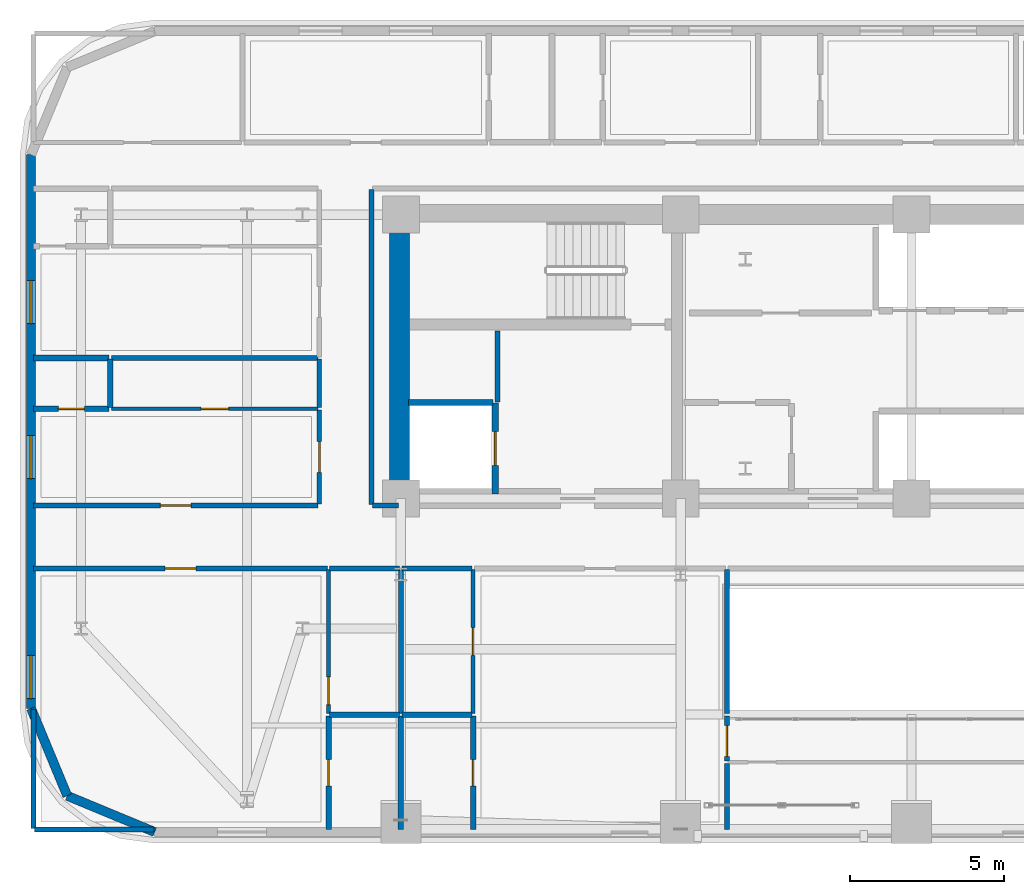
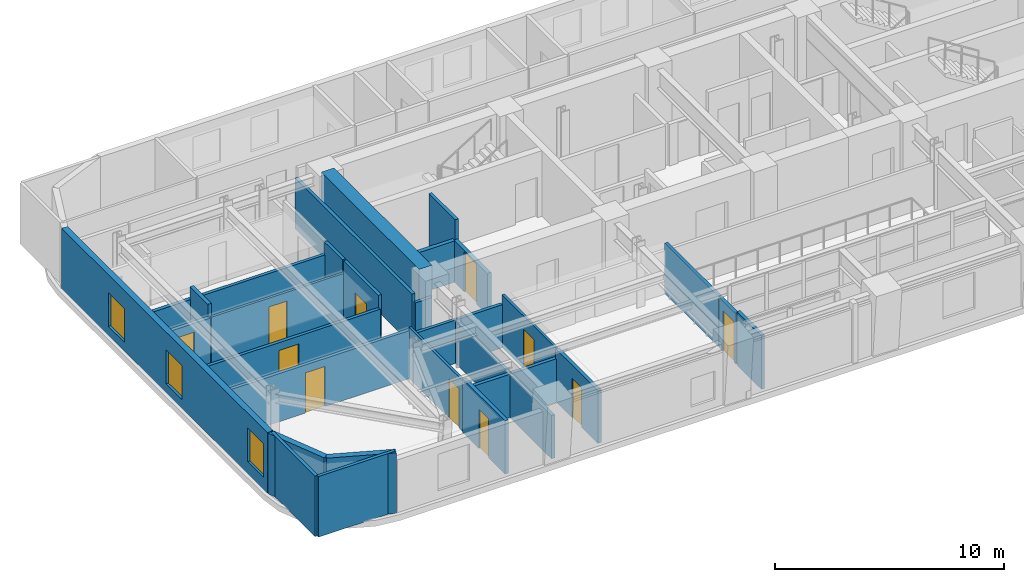
# One storey, part 8 of 16: 33 walls, 11 doors, 3 windows, 14 openings.
"""IFC4 building model written with IfcOpenShell, lengths in metres."""

from ifc_helpers import new_model, si_unit, direction, frame, frame_2d, origin, place, context, subcontext, project, spatial, rectangle, extrude, material, layer, layer_set, type_object, element, fill, save


model = new_model("IFC4")

# Units and contexts
model_context = context("Model", 3, precision=1e-05, world=origin(), true_north=direction((0.0, 1.0)))
body_context = subcontext(model_context, "Body", "Model", "MODEL_VIEW")
ifc_project = project(units=[si_unit("LENGTHUNIT", "METRE"), si_unit("AREAUNIT", "SQUARE_METRE"), si_unit("VOLUMEUNIT", "CUBIC_METRE"), si_unit("PLANEANGLEUNIT", "RADIAN"), si_unit("MASSUNIT", "GRAM", prefix="KILO")], contexts=[model_context])

# Site, building, storey
site_placement = place(None, origin())
site = spatial("IfcSite", under=ifc_project, at=site_placement, CompositionType="ELEMENT")
building_placement = place(site_placement, origin())
building = spatial("IfcBuilding", under=site, at=building_placement, Name="Zarnavel Station Tower", CompositionType="ELEMENT")
storey_placement = place(building_placement, frame((0.0, 0.0, 97.800048828125)))
storey = spatial("IfcBuildingStorey", under=building, at=storey_placement, Name="L26", CompositionType="ELEMENT", Elevation=97.800048828125)

# Wall
ifc_material_1 = material(Name="Concrete C60/75", Category="concrete")
ifc_layer_1 = layer(ifc_material_1, 0.64990234375)
ifc_layer_set_1 = layer_set([ifc_layer_1], Name="CW_650")
wall_type_1 = type_object("IfcWallType", Name="CW_650", PredefinedType="SHEAR", material=ifc_layer_set_1)
wall_1_placement = place(storey_placement, frame((12.14990234375, 28.14501953125, 0.0), z_axis=(0.0, 0.0, 1.0), x_axis=(0.0, 1.0, 0.0)))
element("IfcWall", 1, at=wall_1_placement, inside=storey, type_object=wall_type_1, Name="L26 Rear Core Shear Wall W", PredefinedType="SHEAR", context=body_context, shape_type="SweptSolid", body=[
    extrude(rectangle(XDim=8.580078125, YDim=0.64990234375, at=frame_2d((4.2900390625, 0.0))), origin(), (0.0, 0.0, 1.0), 3.5),
])

# Wall, openings, windows
ifc_material_2 = material(Name="Precast concrete C45/55 (Dark Basalt Finish)", Category="masonry")
ifc_layer_2 = layer(ifc_material_2, 0.300048828125)
ifc_layer_set_2 = layer_set([ifc_layer_2], Name="EW_BASALT_300")
wall_type_2 = type_object("IfcWallType", Name="EW_BASALT_300", PredefinedType="SOLIDWALL", material=ifc_layer_set_2)
wall_2_placement = place(storey_placement, frame((0.179931640625, 21.0, 0.0), z_axis=(0.0, 0.0, 1.0), x_axis=(0.0, 1.0, 0.0)))
wall_2 = element("IfcWall", 2, at=wall_2_placement, inside=storey, type_object=wall_type_2, Name="L26 Exterior Basalt Masonry Frame Wall 09", PredefinedType="SOLIDWALL", context=body_context, shape_type="SweptSolid", body=[
    extrude(rectangle(XDim=18.0, YDim=0.300048828125, at=frame_2d((9.0, 0.0))), origin(), (0.0, 0.0, 1.0), 3.239990234375),
])
opening_1_placement = place(wall_2_placement, frame((7.470458984375, 0.0, 0.47998046875)))
opening_1 = element("IfcOpeningElement", 3, at=opening_1_placement, cuts=wall_2, Name="Opening WN01", PredefinedType="OPENING", context=body_context, shape_type="SweptSolid", body=[
    extrude(rectangle(XDim=1.39990234375, YDim=1.800048828125, at=frame_2d((0.699951171875, 0.89990234375))), frame((0.0, 0.159912109375, 0.0), z_axis=(0.0, -1.0, 0.0), x_axis=(1.0, 0.0, 0.0)), (0.0, 0.0, 1.0), 0.320068359375),
])
opening_2_placement = place(wall_2_placement, frame((12.509033203125, 0.0, 0.47998046875)))
opening_2 = element("IfcOpeningElement", 4, at=opening_2_placement, cuts=wall_2, Name="Opening WN01", PredefinedType="OPENING", context=body_context, shape_type="SweptSolid", body=[
    extrude(rectangle(XDim=1.39990234375, YDim=1.800048828125, at=frame_2d((0.699951171875, 0.89990234375))), frame((0.0, 0.159912109375, 0.0), z_axis=(0.0, -1.0, 0.0), x_axis=(1.0, 0.0, 0.0)), (0.0, 0.0, 1.0), 0.320068359375),
])
opening_3_placement = place(wall_2_placement, frame((0.320068359375, 0.0, 0.64990234375)))
opening_3 = element("IfcOpeningElement", 5, at=opening_3_placement, cuts=wall_2, Name="Opening WN01", PredefinedType="OPENING", context=body_context, shape_type="SweptSolid", body=[
    extrude(rectangle(XDim=1.39990234375, YDim=1.800048828125, at=frame_2d((0.699951171875, 0.89990234375))), frame((0.0, 0.159912109375, 0.0), z_axis=(0.0, -1.0, 0.0), x_axis=(1.0, 0.0, 0.0)), (0.0, 0.0, 1.0), 0.320068359375),
])
ifc_material_3 = material(Name="Thermally Broken Black Aluminium and Low-E Dark Glass", Category="aluminium")
window_type = type_object("IfcWindowType", Name="WN_1400x1800", PartitioningType="DOUBLE_PANEL_VERTICAL", PredefinedType="WINDOW", material=ifc_material_3)
window_1_placement = place(opening_1_placement, origin())
window_1 = element("IfcWindow", 6, at=window_1_placement, inside=storey, type_object=window_type, Name="L26 Recessed Facade Window 01", OverallHeight=1.800048828125, OverallWidth=1.39990234375, PartitioningType="SINGLE_PANEL", PredefinedType="WINDOW", context=body_context, shape_type="SweptSolid", body=[
    extrude(rectangle(XDim=1.39990234375, YDim=1.800048828125, at=frame_2d((0.699951171875, 0.89990234375))), frame((0.0, 0.030029296875, 0.0), z_axis=(0.0, -1.0, 0.0), x_axis=(1.0, 0.0, 0.0)), (0.0, 0.0, 1.0), 0.06005859375),
])
fill(opening_1, window_1)
window_2_placement = place(opening_2_placement, origin())
window_2 = element("IfcWindow", 7, at=window_2_placement, inside=storey, type_object=window_type, Name="L26 Recessed Facade Window 02", OverallHeight=1.800048828125, OverallWidth=1.39990234375, PartitioningType="SINGLE_PANEL", PredefinedType="WINDOW", context=body_context, shape_type="SweptSolid", body=[
    extrude(rectangle(XDim=1.39990234375, YDim=1.800048828125, at=frame_2d((0.699951171875, 0.89990234375))), frame((0.0, 0.030029296875, 0.0), z_axis=(0.0, -1.0, 0.0), x_axis=(1.0, 0.0, 0.0)), (0.0, 0.0, 1.0), 0.06005859375),
])
fill(opening_2, window_2)
window_3_placement = place(opening_3_placement, origin())
window_3 = element("IfcWindow", 8, at=window_3_placement, inside=storey, type_object=window_type, Name="L26 Recessed Facade Window 03", OverallHeight=1.800048828125, OverallWidth=1.39990234375, PartitioningType="SINGLE_PANEL", PredefinedType="WINDOW", context=body_context, shape_type="SweptSolid", body=[
    extrude(rectangle(XDim=1.39990234375, YDim=1.800048828125, at=frame_2d((0.699951171875, 0.89990234375))), frame((0.0, 0.030029296875, 0.0), z_axis=(0.0, -1.0, 0.0), x_axis=(1.0, 0.0, 0.0)), (0.0, 0.0, 1.0), 0.06005859375),
])
fill(opening_3, window_3)

# Walls
for number, where, z_axis, x_axis, name in (
    (9, (1.357421875, 18.157470703125, 0.0), (0.0, 0.0, 1.0), (-0.382704529509, 0.923870793506, 0.0), "L26 Exterior Basalt Masonry Frame Wall 10"),
    (10, (4.199951171875, 16.97998046875, 0.0), (0.0, 0.0, 1.0), (-0.923870793506, 0.382704529509, 0.0), "L26 Exterior Basalt Masonry Frame Wall 11"),
):
    element("IfcWall", number, at=place(storey_placement, frame(where, z_axis=z_axis, x_axis=x_axis)), inside=storey, type_object=wall_type_2, Name=name, PredefinedType="SOLIDWALL", context=body_context, shape_type="SweptSolid", body=[
        extrude(rectangle(XDim=3.07666015625, YDim=0.300048828125, at=frame_2d((1.538330078125, 0.0))), origin(), (0.0, 0.0, 1.0), 3.239990234375),
    ])

# Wall, opening, door
ifc_material_4 = material(Name="Gypsum Twin-Stud Acoustic Fire Partition", Category="concrete")
ifc_layer_3 = layer(ifc_material_4, 0.159912109375)
ifc_layer_set_3 = layer_set([ifc_layer_3], Name="PT_DEMISE_160")
wall_type_3 = type_object("IfcWallType", Name="PT_DEMISE_160", PredefinedType="PARTITIONING", material=ifc_layer_set_3)
wall_3_placement = place(storey_placement, frame((0.260009765625, 27.60009765625, 0.0), z_axis=(0.0, 0.0, 1.0), x_axis=(1.0, 0.0, 0.0)))
wall_3 = element("IfcWall", 11, at=wall_3_placement, inside=storey, type_object=wall_type_3, Name="L26 Partition COR-S-FNW1R", PredefinedType="PARTITIONING", context=body_context, shape_type="SweptSolid", body=[
    extrude(rectangle(XDim=9.25, YDim=0.159912109375, at=frame_2d((4.625, 0.0))), origin(), (0.0, 0.0, 1.0), 2.570068359375),
])
opening_4_placement = place(wall_3_placement, frame((4.125, 0.0, 0.0)))
opening_4 = element("IfcOpeningElement", 12, at=opening_4_placement, cuts=wall_3, Name="Opening FD02", PredefinedType="OPENING", context=body_context, shape_type="SweptSolid", body=[
    extrude(rectangle(XDim=1.0, YDim=2.14990234375, at=frame_2d((0.5, 1.074951171875))), frame((0.0, 0.08984375, 0.0), z_axis=(0.0, -1.0, 0.0), x_axis=(1.0, 0.0, 0.0)), (0.0, 0.0, 1.0), 0.179931640625),
])
ifc_material_5 = material(Name="Painted Galvanised Steel and Hardwood Leaf", Category="steel")
door_type_1 = type_object("IfcDoorType", Name="ID_ENTRY_1000", OperationType="NOTDEFINED", PredefinedType="DOOR", material=ifc_material_5)
door_1_placement = place(opening_4_placement, origin())
door_1 = element("IfcDoor", 13, at=door_1_placement, inside=storey, type_object=door_type_1, Name="L26 Door COR-S-FNW1R", OperationType="SINGLE_SWING_RIGHT", OverallHeight=2.14990234375, OverallWidth=1.0, PredefinedType="DOOR", context=body_context, shape_type="SweptSolid", body=[
    extrude(rectangle(XDim=1.0, YDim=2.14990234375, at=frame_2d((0.5, 1.074951171875))), frame((0.0, 0.02490234375, 0.0), z_axis=(0.0, -1.0, 0.0), x_axis=(1.0, 0.0, 0.0)), (0.0, 0.0, 1.0), 0.050048828125),
])
fill(opening_4, door_1)

wall_4_placement = place(storey_placement, frame((0.260009765625, 25.550048828125, 0.0), z_axis=(0.0, 0.0, 1.0), x_axis=(1.0, 0.0, 0.0)))
wall_4 = element("IfcWall", 14, at=wall_4_placement, inside=storey, type_object=wall_type_3, Name="L26 Partition COR-S-HW1R", PredefinedType="PARTITIONING", context=body_context, shape_type="SweptSolid", body=[
    extrude(rectangle(XDim=9.550048828125, YDim=0.159912109375, at=frame_2d((4.77490234375, 0.0))), origin(), (0.0, 0.0, 1.0), 2.570068359375),
])
opening_5_placement = place(wall_4_placement, frame((4.27490234375, 0.0, 0.0)))
opening_5 = element("IfcOpeningElement", 15, at=opening_5_placement, cuts=wall_4, Name="Opening FD02", PredefinedType="OPENING", context=body_context, shape_type="SweptSolid", body=[
    extrude(rectangle(XDim=1.0, YDim=2.14990234375, at=frame_2d((0.5, 1.074951171875))), frame((0.0, 0.08984375, 0.0), z_axis=(0.0, -1.0, 0.0), x_axis=(1.0, 0.0, 0.0)), (0.0, 0.0, 1.0), 0.179931640625),
])
door_2_placement = place(opening_5_placement, origin())
door_2 = element("IfcDoor", 16, at=door_2_placement, inside=storey, type_object=door_type_1, Name="L26 Door COR-S-HW1R", OperationType="SINGLE_SWING_RIGHT", OverallHeight=2.14990234375, OverallWidth=1.0, PredefinedType="DOOR", context=body_context, shape_type="SweptSolid", body=[
    extrude(rectangle(XDim=1.0, YDim=2.14990234375, at=frame_2d((0.5, 1.074951171875))), frame((0.0, 0.02490234375, 0.0), z_axis=(0.0, -1.0, 0.0), x_axis=(1.0, 0.0, 0.0)), (0.0, 0.0, 1.0), 0.050048828125),
])
fill(opening_5, door_2)

# Walls
for number, where, z_axis, x_axis, name in (
    (17, (9.889892578125, 25.550048828125, 0.0), (0.0, 0.0, 1.0), (1.0, 0.0, 0.0), "L26 Partition COR-S-HW1S"),
    (18, (12.239990234375, 25.550048828125, 0.0), (0.0, 0.0, 1.0), (1.0, 0.0, 0.0), "L26 Partition COR-S-HW2S"),
):
    element("IfcWall", number, at=place(storey_placement, frame(where, z_axis=z_axis, x_axis=x_axis)), inside=storey, type_object=wall_type_3, Name=name, PredefinedType="PARTITIONING", context=body_context, shape_type="SweptSolid", body=[
        extrude(rectangle(XDim=2.27001953125, YDim=0.159912109375, at=frame_2d((1.135009765625, 0.0))), origin(), (0.0, 0.0, 1.0), 2.31005859375),
    ])

# Wall, opening, door
wall_5_placement = place(storey_placement, frame((9.550048828125, 27.639892578125, 0.0), z_axis=(0.0, 0.0, 1.0), x_axis=(0.0, 1.0, 0.0)))
wall_5 = element("IfcWall", 19, at=wall_5_placement, inside=storey, type_object=wall_type_3, Name="L26 Partition COR-W-FNW1R", PredefinedType="PARTITIONING", context=body_context, shape_type="SweptSolid", body=[
    extrude(rectangle(XDim=3.06103515625, YDim=0.159912109375, at=frame_2d((1.530517578125, 0.0))), origin(), (0.0, 0.0, 1.0), 3.239990234375),
])
opening_6_placement = place(wall_5_placement, frame((1.030517578125, 0.0, 0.0)))
opening_6 = element("IfcOpeningElement", 20, at=opening_6_placement, cuts=wall_5, Name="Opening FD02", PredefinedType="OPENING", context=body_context, shape_type="SweptSolid", body=[
    extrude(rectangle(XDim=1.0, YDim=2.14990234375, at=frame_2d((0.5, 1.074951171875))), frame((0.0, 0.08984375, 0.0), z_axis=(0.0, -1.0, 0.0), x_axis=(1.0, 0.0, 0.0)), (0.0, 0.0, 1.0), 0.179931640625),
])
door_3_placement = place(opening_6_placement, origin())
door_3 = element("IfcDoor", 21, at=door_3_placement, inside=storey, type_object=door_type_1, Name="L26 Door COR-W-FNW1R", OperationType="SINGLE_SWING_RIGHT", OverallHeight=2.14990234375, OverallWidth=1.0, PredefinedType="DOOR", context=body_context, shape_type="SweptSolid", body=[
    extrude(rectangle(XDim=1.0, YDim=2.14990234375, at=frame_2d((0.5, 1.074951171875))), frame((0.0, 0.02490234375, 0.0), z_axis=(0.0, -1.0, 0.0), x_axis=(1.0, 0.0, 0.0)), (0.0, 0.0, 1.0), 0.050048828125),
])
fill(opening_6, door_3)

# Wall
wall_6_placement = place(storey_placement, frame((9.550048828125, 30.781005859375, 0.0), z_axis=(0.0, 0.0, 1.0), x_axis=(0.0, 1.0, 0.0)))
element("IfcWall", 22, at=wall_6_placement, inside=storey, type_object=wall_type_3, Name="L26 Partition COR-W-FNW1S", PredefinedType="PARTITIONING", context=body_context, shape_type="SweptSolid", body=[
    extrude(rectangle(XDim=1.570068359375, YDim=0.159912109375, at=frame_2d((0.78515625, 0.0))), origin(), (0.0, 0.0, 1.0), 3.239990234375),
])

# Wall, opening, door
wall_7_placement = place(storey_placement, frame((22.800048828125, 19.2900390625, 0.0), z_axis=(0.0, 0.0, 1.0), x_axis=(0.0, 1.0, 0.0)))
wall_7 = element("IfcWall", 23, at=wall_7_placement, inside=storey, type_object=wall_type_3, Name="L26 Partition COR-AS-HW2R", PredefinedType="PARTITIONING", context=body_context, shape_type="SweptSolid", body=[
    extrude(rectangle(XDim=1.469970703125, YDim=0.159912109375, at=frame_2d((0.73486328125, 0.0))), origin(), (0.0, 0.0, 1.0), 2.679931640625),
])
opening_7_placement = place(wall_7_placement, frame((0.14794921875, 0.0, 0.0)))
opening_7 = element("IfcOpeningElement", 24, at=opening_7_placement, cuts=wall_7, Name="Opening FD02", PredefinedType="OPENING", context=body_context, shape_type="SweptSolid", body=[
    extrude(rectangle(XDim=1.0, YDim=2.14990234375, at=frame_2d((0.5, 1.074951171875))), frame((0.0, 0.08984375, 0.0), z_axis=(0.0, -1.0, 0.0), x_axis=(1.0, 0.0, 0.0)), (0.0, 0.0, 1.0), 0.179931640625),
])
door_4_placement = place(opening_7_placement, origin())
door_4 = element("IfcDoor", 25, at=door_4_placement, inside=storey, type_object=door_type_1, Name="L26 Door COR-AS-HW2R", OperationType="SINGLE_SWING_LEFT", OverallHeight=2.14990234375, OverallWidth=1.0, PredefinedType="DOOR", context=body_context, shape_type="SweptSolid", body=[
    extrude(rectangle(XDim=1.0, YDim=2.14990234375, at=frame_2d((0.5, 1.074951171875))), frame((0.0, 0.02490234375, 0.0), z_axis=(0.0, -1.0, 0.0), x_axis=(1.0, 0.0, 0.0)), (0.0, 0.0, 1.0), 0.050048828125),
])
fill(opening_7, door_4)

# Walls
wall_8_placement = place(storey_placement, frame((2.800048828125, 32.39111328125, 0.0), z_axis=(0.0, 0.0, 1.0), x_axis=(1.0, 0.0, 0.0)))
element("IfcWall", 26, at=wall_8_placement, inside=storey, type_object=wall_type_3, Name="L26 Partition FNW1S-FNW2R", PredefinedType="PARTITIONING", context=body_context, shape_type="SweptSolid", body=[
    extrude(rectangle(XDim=6.7099609375, YDim=0.159912109375, at=frame_2d((3.35498046875, 0.0))), origin(), (0.0, 0.0, 1.0), 2.570068359375),
])
wall_9_placement = place(storey_placement, frame((12.199951171875, 20.8359375, 0.0), z_axis=(0.0, 0.0, 1.0), x_axis=(0.0, 1.0, 0.0)))
element("IfcWall", 27, at=wall_9_placement, inside=storey, type_object=wall_type_3, Name="L26 Partition HW1S-HW2S", PredefinedType="PARTITIONING", context=body_context, shape_type="SweptSolid", body=[
    extrude(rectangle(XDim=4.674072265625, YDim=0.159912109375, at=frame_2d((2.3369140625, 0.0))), origin(), (0.0, 0.0, 1.0), 2.31005859375),
])
wall_10_placement = place(storey_placement, frame((22.800048828125, 17.06005859375, 0.0), z_axis=(0.0, 0.0, 1.0), x_axis=(0.0, 1.0, 0.0)))
element("IfcWall", 28, at=wall_10_placement, inside=storey, type_object=wall_type_3, Name="L26 Partition HW2R-L25SAL", PredefinedType="PARTITIONING", context=body_context, shape_type="SweptSolid", body=[
    extrude(rectangle(XDim=2.14990234375, YDim=0.159912109375, at=frame_2d((1.074951171875, 0.0))), origin(), (0.0, 0.0, 1.0), 2.85986328125),
])
wall_11_placement = place(storey_placement, frame((15.35009765625, 30.9599609375, 0.0), z_axis=(0.0, 0.0, 1.0), x_axis=(0.0, 1.0, 0.0)))
element("IfcWall", 29, at=wall_11_placement, inside=storey, type_object=wall_type_3, Name="L26 Enclosure Wall FFL1", PredefinedType="PARTITIONING", context=body_context, shape_type="SweptSolid", body=[
    extrude(rectangle(XDim=2.31005859375, YDim=0.159912109375, at=frame_2d((1.155029296875, 0.0))), origin(), (0.0, 0.0, 1.0), 3.239990234375),
])
wall_12_placement = place(storey_placement, frame((11.280029296875, 27.60009765625, 0.0), z_axis=(0.0, 0.0, 1.0), x_axis=(1.0, 0.0, 0.0)))
element("IfcWall", 30, at=wall_12_placement, inside=storey, type_object=wall_type_3, Name="L26 Enclosure Wall COR-S", PredefinedType="PARTITIONING", context=body_context, shape_type="SweptSolid", body=[
    extrude(rectangle(XDim=0.840087890625, YDim=0.159912109375, at=frame_2d((0.419921875, 0.0))), origin(), (0.0, 0.0, 1.0), 2.280029296875),
])
wall_13_placement = place(storey_placement, frame((11.25, 27.6298828125, 0.0), z_axis=(0.0, 0.0, 1.0), x_axis=(0.0, 1.0, 0.0)))
element("IfcWall", 31, at=wall_13_placement, inside=storey, type_object=wall_type_3, Name="L26 Enclosure Wall COR-W", PredefinedType="PARTITIONING", context=body_context, shape_type="SweptSolid", body=[
    extrude(rectangle(XDim=10.240234375, YDim=0.159912109375, at=frame_2d((5.1201171875, 0.0))), origin(), (0.0, 0.0, 1.0), 2.719970703125),
])
for number, where, z_axis, x_axis, name in (
    (32, (0.2900390625, 17.06005859375, 0.0), (0.0, 0.0, 1.0), (1.0, 0.0, 0.0), "L26 Enclosure Wall HW1R"),
    (33, (0.260009765625, 17.090087890625, 0.0), (0.0, 0.0, 1.0), (0.0, 1.0, 0.0), "L26 Enclosure Wall HW1R"),
):
    element("IfcWall", number, at=place(storey_placement, frame(where, z_axis=z_axis, x_axis=x_axis)), inside=storey, type_object=wall_type_3, Name=name, PredefinedType="PARTITIONING", context=body_context, shape_type="SweptSolid", body=[
        extrude(rectangle(XDim=3.8798828125, YDim=0.159912109375, at=frame_2d((1.93994140625, 0.0))), origin(), (0.0, 0.0, 1.0), 3.239990234375),
    ])
wall_14_placement = place(storey_placement, frame((22.800048828125, 20.830078125, 0.0), z_axis=(0.0, 0.0, 1.0), x_axis=(0.0, 1.0, 0.0)))
element("IfcWall", 34, at=wall_14_placement, inside=storey, type_object=wall_type_3, Name="L26 Enclosure Wall HW2R", PredefinedType="PARTITIONING", context=body_context, shape_type="SweptSolid", body=[
    extrude(rectangle(XDim=4.68994140625, YDim=0.159912109375, at=frame_2d((2.344970703125, 0.0))), origin(), (0.0, 0.0, 1.0), 2.679931640625),
])

# Wall, opening, door
ifc_material_6 = material(Name="Gypsum Metal-Stud Interior Partition", Category="concrete")
ifc_layer_4 = layer(ifc_material_6, 0.1201171875)
ifc_layer_set_4 = layer_set([ifc_layer_4], Name="PT_ROOM_120")
wall_type_4 = type_object("IfcWallType", Name="PT_ROOM_120", PredefinedType="PARTITIONING", material=ifc_layer_set_4)
wall_15_placement = place(storey_placement, frame((2.800048828125, 30.740966796875, 0.0), z_axis=(0.0, 0.0, 1.0), x_axis=(1.0, 0.0, 0.0)))
wall_15 = element("IfcWall", 35, at=wall_15_placement, inside=storey, type_object=wall_type_4, Name="L26 Partition FNW1R-FNW1S", PredefinedType="PARTITIONING", context=body_context, shape_type="SweptSolid", body=[
    extrude(rectangle(XDim=6.7099609375, YDim=0.1201171875, at=frame_2d((3.35498046875, 0.0))), origin(), (0.0, 0.0, 1.0), 2.570068359375),
])
opening_8_placement = place(wall_15_placement, frame((2.905029296875, 0.0, 0.0)))
opening_8 = element("IfcOpeningElement", 36, at=opening_8_placement, cuts=wall_15, Name="Opening ID01", PredefinedType="OPENING", context=body_context, shape_type="SweptSolid", body=[
    extrude(rectangle(XDim=0.89990234375, YDim=2.10009765625, at=frame_2d((0.449951171875, 1.050048828125))), frame((0.0, 0.070068359375, 0.0), z_axis=(0.0, -1.0, 0.0), x_axis=(1.0, 0.0, 0.0)), (0.0, 0.0, 1.0), 0.14013671875),
])
ifc_material_7 = material(Name="Painted Galvanised Steel and Hardwood Leaf", Category="steel")
door_type_2 = type_object("IfcDoorType", Name="ID_ROOM_900", OperationType="NOTDEFINED", PredefinedType="DOOR", material=ifc_material_7)
door_5_placement = place(opening_8_placement, origin())
door_5 = element("IfcDoor", 37, at=door_5_placement, inside=storey, type_object=door_type_2, Name="L26 Door FNW1R-FNW1S", OperationType="SINGLE_SWING_RIGHT", OverallHeight=2.10009765625, OverallWidth=0.89990234375, PredefinedType="DOOR", context=body_context, shape_type="SweptSolid", body=[
    extrude(rectangle(XDim=0.89990234375, YDim=2.10009765625, at=frame_2d((0.449951171875, 1.050048828125))), frame((0.0, 0.02490234375, 0.0), z_axis=(0.0, -1.0, 0.0), x_axis=(1.0, 0.0, 0.0)), (0.0, 0.0, 1.0), 0.050048828125),
])
fill(opening_8, door_5)

wall_16_placement = place(storey_placement, frame((9.85009765625, 20.8359375, 0.0), z_axis=(0.0, 0.0, 1.0), x_axis=(0.0, 1.0, 0.0)))
wall_16 = element("IfcWall", 38, at=wall_16_placement, inside=storey, type_object=wall_type_4, Name="L26 Partition HW1R-HW1S", PredefinedType="PARTITIONING", context=body_context, shape_type="SweptSolid", body=[
    extrude(rectangle(XDim=4.674072265625, YDim=0.1201171875, at=frame_2d((2.3369140625, 0.0))), origin(), (0.0, 0.0, 1.0), 2.719970703125),
])
opening_9_placement = place(wall_16_placement, frame((0.28564453125, 0.0, 0.0)))
opening_9 = element("IfcOpeningElement", 39, at=opening_9_placement, cuts=wall_16, Name="Opening ID01", PredefinedType="OPENING", context=body_context, shape_type="SweptSolid", body=[
    extrude(rectangle(XDim=0.89990234375, YDim=2.10009765625, at=frame_2d((0.449951171875, 1.050048828125))), frame((0.0, 0.070068359375, 0.0), z_axis=(0.0, -1.0, 0.0), x_axis=(1.0, 0.0, 0.0)), (0.0, 0.0, 1.0), 0.14013671875),
])
door_6_placement = place(opening_9_placement, origin())
door_6 = element("IfcDoor", 40, at=door_6_placement, inside=storey, type_object=door_type_2, Name="L26 Door HW1R-HW1S", OperationType="SINGLE_SWING_RIGHT", OverallHeight=2.10009765625, OverallWidth=0.89990234375, PredefinedType="DOOR", context=body_context, shape_type="SweptSolid", body=[
    extrude(rectangle(XDim=0.89990234375, YDim=2.10009765625, at=frame_2d((0.449951171875, 1.050048828125))), frame((0.0, 0.02490234375, 0.0), z_axis=(0.0, -1.0, 0.0), x_axis=(1.0, 0.0, 0.0)), (0.0, 0.0, 1.0), 0.050048828125),
])
fill(opening_9, door_6)

wall_17_placement = place(storey_placement, frame((14.550048828125, 20.8359375, 0.0), z_axis=(0.0, 0.0, 1.0), x_axis=(0.0, 1.0, 0.0)))
wall_17 = element("IfcWall", 41, at=wall_17_placement, inside=storey, type_object=wall_type_4, Name="L26 Partition HW2R-HW2S", PredefinedType="PARTITIONING", context=body_context, shape_type="SweptSolid", body=[
    extrude(rectangle(XDim=4.674072265625, YDim=0.1201171875, at=frame_2d((2.3369140625, 0.0))), origin(), (0.0, 0.0, 1.0), 2.820068359375),
])
opening_10_placement = place(wall_17_placement, frame((1.886962890625, 0.0, 0.0)))
opening_10 = element("IfcOpeningElement", 42, at=opening_10_placement, cuts=wall_17, Name="Opening ID01", PredefinedType="OPENING", context=body_context, shape_type="SweptSolid", body=[
    extrude(rectangle(XDim=0.89990234375, YDim=2.10009765625, at=frame_2d((0.449951171875, 1.050048828125))), frame((0.0, 0.070068359375, 0.0), z_axis=(0.0, -1.0, 0.0), x_axis=(1.0, 0.0, 0.0)), (0.0, 0.0, 1.0), 0.14013671875),
])
door_7_placement = place(opening_10_placement, origin())
door_7 = element("IfcDoor", 43, at=door_7_placement, inside=storey, type_object=door_type_2, Name="L26 Door HW2R-HW2S", OperationType="SINGLE_SWING_RIGHT", OverallHeight=2.10009765625, OverallWidth=0.89990234375, PredefinedType="DOOR", context=body_context, shape_type="SweptSolid", body=[
    extrude(rectangle(XDim=0.89990234375, YDim=2.10009765625, at=frame_2d((0.449951171875, 1.050048828125))), frame((0.0, 0.02490234375, 0.0), z_axis=(0.0, -1.0, 0.0), x_axis=(1.0, 0.0, 0.0)), (0.0, 0.0, 1.0), 0.050048828125),
])
fill(opening_10, door_7)

ifc_material_8 = material(Name="Precast concrete C45/55 (Fire Shaft Blockwork)", Category="masonry")
ifc_layer_5 = layer(ifc_material_8, 0.199951171875)
ifc_layer_set_5 = layer_set([ifc_layer_5], Name="PT_SHAFT_200")
wall_type_5 = type_object("IfcWallType", Name="PT_SHAFT_200", PredefinedType="PARTITIONING", material=ifc_layer_set_5)
wall_18_placement = place(storey_placement, frame((15.27001953125, 27.969970703125, 0.0), z_axis=(0.0, 0.0, 1.0), x_axis=(0.0, 1.0, 0.0)))
wall_18 = element("IfcWall", 44, at=wall_18_placement, inside=storey, type_object=wall_type_5, Name="L26 Lift FFL-01 Shaft Front Wall", PredefinedType="PARTITIONING", context=body_context, shape_type="SweptSolid", body=[
    extrude(rectangle(XDim=2.9599609375, YDim=0.199951171875, at=frame_2d((1.47998046875, 0.0))), origin(), (0.0, 0.0, 1.0), 2.2119140625),
])
opening_11_placement = place(wall_18_placement, frame((0.929931640625, 0.0, 0.0)))
opening_11 = element("IfcOpeningElement", 45, at=opening_11_placement, cuts=wall_18, Name="Opening LD01", PredefinedType="OPENING", context=body_context, shape_type="SweptSolid", body=[
    extrude(rectangle(XDim=1.10009765625, YDim=2.14990234375, at=frame_2d((0.550048828125, 1.074951171875))), frame((0.0, 0.10986328125, 0.0), z_axis=(0.0, -1.0, 0.0), x_axis=(1.0, 0.0, 0.0)), (0.0, 0.0, 1.0), 0.219970703125),
])
ifc_material_9 = material(Name="Painted Galvanised Steel and Hardwood Leaf", Category="steel")
door_type_3 = type_object("IfcDoorType", Name="LD_FF_1100", OperationType="DOUBLE_DOOR_SLIDING", PredefinedType="DOOR", material=ifc_material_9)
door_8_placement = place(opening_11_placement, origin())
door_8 = element("IfcDoor", 46, at=door_8_placement, inside=storey, type_object=door_type_3, Name="L26 Lift FFL-01 Sliding Landing Door", OperationType="DOUBLE_DOOR_SLIDING", OverallHeight=2.14990234375, OverallWidth=1.10009765625, PredefinedType="DOOR", context=body_context, shape_type="SweptSolid", body=[
    extrude(rectangle(XDim=1.10009765625, YDim=2.14990234375, at=frame_2d((0.550048828125, 1.074951171875))), frame((0.0, 0.02490234375, 0.0), z_axis=(0.0, -1.0, 0.0), x_axis=(1.0, 0.0, 0.0)), (0.0, 0.0, 1.0), 0.050048828125),
])
fill(opening_11, door_8)

# Wall
wall_19_placement = place(storey_placement, frame((12.449951171875, 30.949951171875, 0.0), z_axis=(0.0, 0.0, 1.0), x_axis=(1.0, 0.0, 0.0)))
element("IfcWall", 47, at=wall_19_placement, inside=storey, type_object=wall_type_5, Name="L26 Lift FFL-01 North Shaft Wall", PredefinedType="PARTITIONING", context=body_context, shape_type="SweptSolid", body=[
    extrude(rectangle(XDim=2.75, YDim=0.199951171875, at=frame_2d((1.375, 0.0))), origin(), (0.0, 0.0, 1.0), 2.2119140625),
])

# Wall, opening, door
ifc_material_10 = material(Name="Moisture-Resistant Plumbing Chase Wall", Category="concrete")
ifc_layer_6 = layer(ifc_material_10, 0.179931640625)
ifc_layer_set_6 = layer_set([ifc_layer_6], Name="PW_PLUMB_180")
wall_type_6 = type_object("IfcWallType", Name="PW_PLUMB_180", PredefinedType="PLUMBINGWALL", material=ifc_layer_set_6)
wall_20_placement = place(storey_placement, frame((0.260009765625, 30.740966796875, 0.0), z_axis=(0.0, 0.0, 1.0), x_axis=(1.0, 0.0, 0.0)))
wall_20 = element("IfcWall", 48, at=wall_20_placement, inside=storey, type_object=wall_type_6, Name="L26 Partition FNW1R-FNW1B", PredefinedType="PLUMBINGWALL", context=body_context, shape_type="SweptSolid", body=[
    extrude(rectangle(XDim=2.4599609375, YDim=0.179931640625, at=frame_2d((1.22998046875, 0.0))), origin(), (0.0, 0.0, 1.0), 2.570068359375),
])
opening_12_placement = place(wall_20_placement, frame((0.804931640625, 0.0, 0.0)))
opening_12 = element("IfcOpeningElement", 49, at=opening_12_placement, cuts=wall_20, Name="Opening ID02", PredefinedType="OPENING", context=body_context, shape_type="SweptSolid", body=[
    extrude(rectangle(XDim=0.85009765625, YDim=2.10009765625, at=frame_2d((0.425048828125, 1.050048828125))), frame((0.0, 0.099853515625, 0.0), z_axis=(0.0, -1.0, 0.0), x_axis=(1.0, 0.0, 0.0)), (0.0, 0.0, 1.0), 0.199951171875),
])
ifc_material_11 = material(Name="Painted Galvanised Steel and Hardwood Leaf", Category="steel")
door_type_4 = type_object("IfcDoorType", Name="ID_BATH_850", OperationType="NOTDEFINED", PredefinedType="DOOR", material=ifc_material_11)
door_9_placement = place(opening_12_placement, origin())
door_9 = element("IfcDoor", 50, at=door_9_placement, inside=storey, type_object=door_type_4, Name="L26 Door FNW1R-FNW1B", OperationType="SINGLE_SWING_LEFT", OverallHeight=2.10009765625, OverallWidth=0.85009765625, PredefinedType="DOOR", context=body_context, shape_type="SweptSolid", body=[
    extrude(rectangle(XDim=0.85009765625, YDim=2.10009765625, at=frame_2d((0.425048828125, 1.050048828125))), frame((0.0, 0.02490234375, 0.0), z_axis=(0.0, -1.0, 0.0), x_axis=(1.0, 0.0, 0.0)), (0.0, 0.0, 1.0), 0.050048828125),
])
fill(opening_12, door_9)

# Walls
wall_21_placement = place(storey_placement, frame((2.760009765625, 30.781005859375, 0.0), z_axis=(0.0, 0.0, 1.0), x_axis=(0.0, 1.0, 0.0)))
element("IfcWall", 51, at=wall_21_placement, inside=storey, type_object=wall_type_6, Name="L26 Partition FNW1B-FNW1S", PredefinedType="PLUMBINGWALL", context=body_context, shape_type="SweptSolid", body=[
    extrude(rectangle(XDim=1.570068359375, YDim=0.179931640625, at=frame_2d((0.78515625, 0.0))), origin(), (0.0, 0.0, 1.0), 3.239990234375),
])
wall_22_placement = place(storey_placement, frame((0.260009765625, 32.39111328125, 0.0), z_axis=(0.0, 0.0, 1.0), x_axis=(1.0, 0.0, 0.0)))
element("IfcWall", 52, at=wall_22_placement, inside=storey, type_object=wall_type_6, Name="L26 Partition FNW1B-FNW2R", PredefinedType="PLUMBINGWALL", context=body_context, shape_type="SweptSolid", body=[
    extrude(rectangle(XDim=2.4599609375, YDim=0.179931640625, at=frame_2d((1.22998046875, 0.0))), origin(), (0.0, 0.0, 1.0), 2.570068359375),
])

# Wall, opening, door
wall_23_placement = place(storey_placement, frame((9.85009765625, 17.06005859375, 0.0), z_axis=(0.0, 0.0, 1.0), x_axis=(0.0, 1.0, 0.0)))
wall_23 = element("IfcWall", 53, at=wall_23_placement, inside=storey, type_object=wall_type_6, Name="L26 Partition HW1R-HW1B", PredefinedType="PLUMBINGWALL", context=body_context, shape_type="SweptSolid", body=[
    extrude(rectangle(XDim=3.696044921875, YDim=0.179931640625, at=frame_2d((1.84814453125, 0.0))), origin(), (0.0, 0.0, 1.0), 2.85986328125),
])
opening_13_placement = place(wall_23_placement, frame((1.423095703125, 0.0, 0.0)))
opening_13 = element("IfcOpeningElement", 54, at=opening_13_placement, cuts=wall_23, Name="Opening ID02", PredefinedType="OPENING", context=body_context, shape_type="SweptSolid", body=[
    extrude(rectangle(XDim=0.85009765625, YDim=2.10009765625, at=frame_2d((0.425048828125, 1.050048828125))), frame((0.0, 0.099853515625, 0.0), z_axis=(0.0, -1.0, 0.0), x_axis=(1.0, 0.0, 0.0)), (0.0, 0.0, 1.0), 0.199951171875),
])
door_10_placement = place(opening_13_placement, origin())
door_10 = element("IfcDoor", 55, at=door_10_placement, inside=storey, type_object=door_type_4, Name="L26 Door HW1R-HW1B", OperationType="SINGLE_SWING_LEFT", OverallHeight=2.10009765625, OverallWidth=0.85009765625, PredefinedType="DOOR", context=body_context, shape_type="SweptSolid", body=[
    extrude(rectangle(XDim=0.85009765625, YDim=2.10009765625, at=frame_2d((0.425048828125, 1.050048828125))), frame((0.0, 0.02490234375, 0.0), z_axis=(0.0, -1.0, 0.0), x_axis=(1.0, 0.0, 0.0)), (0.0, 0.0, 1.0), 0.050048828125),
])
fill(opening_13, door_10)

# Walls
wall_24_placement = place(storey_placement, frame((9.889892578125, 20.7958984375, 0.0), z_axis=(0.0, 0.0, 1.0), x_axis=(1.0, 0.0, 0.0)))
element("IfcWall", 56, at=wall_24_placement, inside=storey, type_object=wall_type_6, Name="L26 Partition HW1B-HW1S", PredefinedType="PLUMBINGWALL", context=body_context, shape_type="SweptSolid", body=[
    extrude(rectangle(XDim=2.27001953125, YDim=0.179931640625, at=frame_2d((1.135009765625, 0.0))), origin(), (0.0, 0.0, 1.0), 2.31005859375),
])
wall_25_placement = place(storey_placement, frame((12.199951171875, 17.06005859375, 0.0), z_axis=(0.0, 0.0, 1.0), x_axis=(0.0, 1.0, 0.0)))
element("IfcWall", 57, at=wall_25_placement, inside=storey, type_object=wall_type_6, Name="L26 Partition HW1B-HW2B", PredefinedType="PLUMBINGWALL", context=body_context, shape_type="SweptSolid", body=[
    extrude(rectangle(XDim=3.696044921875, YDim=0.179931640625, at=frame_2d((1.84814453125, 0.0))), origin(), (0.0, 0.0, 1.0), 2.31005859375),
])

# Wall, opening, door
wall_26_placement = place(storey_placement, frame((14.550048828125, 17.06005859375, 0.0), z_axis=(0.0, 0.0, 1.0), x_axis=(0.0, 1.0, 0.0)))
wall_26 = element("IfcWall", 58, at=wall_26_placement, inside=storey, type_object=wall_type_6, Name="L26 Partition HW2R-HW2B", PredefinedType="PLUMBINGWALL", context=body_context, shape_type="SweptSolid", body=[
    extrude(rectangle(XDim=3.696044921875, YDim=0.179931640625, at=frame_2d((1.84814453125, 0.0))), origin(), (0.0, 0.0, 1.0), 2.820068359375),
])
opening_14_placement = place(wall_26_placement, frame((1.423095703125, 0.0, 0.0)))
opening_14 = element("IfcOpeningElement", 59, at=opening_14_placement, cuts=wall_26, Name="Opening ID02", PredefinedType="OPENING", context=body_context, shape_type="SweptSolid", body=[
    extrude(rectangle(XDim=0.85009765625, YDim=2.10009765625, at=frame_2d((0.425048828125, 1.050048828125))), frame((0.0, 0.099853515625, 0.0), z_axis=(0.0, -1.0, 0.0), x_axis=(1.0, 0.0, 0.0)), (0.0, 0.0, 1.0), 0.199951171875),
])
door_11_placement = place(opening_14_placement, origin())
door_11 = element("IfcDoor", 60, at=door_11_placement, inside=storey, type_object=door_type_4, Name="L26 Door HW2R-HW2B", OperationType="SINGLE_SWING_LEFT", OverallHeight=2.10009765625, OverallWidth=0.85009765625, PredefinedType="DOOR", context=body_context, shape_type="SweptSolid", body=[
    extrude(rectangle(XDim=0.85009765625, YDim=2.10009765625, at=frame_2d((0.425048828125, 1.050048828125))), frame((0.0, 0.02490234375, 0.0), z_axis=(0.0, -1.0, 0.0), x_axis=(1.0, 0.0, 0.0)), (0.0, 0.0, 1.0), 0.050048828125),
])
fill(opening_14, door_11)

# Wall
wall_27_placement = place(storey_placement, frame((12.239990234375, 20.7958984375, 0.0), z_axis=(0.0, 0.0, 1.0), x_axis=(1.0, 0.0, 0.0)))
element("IfcWall", 61, at=wall_27_placement, inside=storey, type_object=wall_type_6, Name="L26 Partition HW2B-HW2S", PredefinedType="PLUMBINGWALL", context=body_context, shape_type="SweptSolid", body=[
    extrude(rectangle(XDim=2.27001953125, YDim=0.179931640625, at=frame_2d((1.135009765625, 0.0))), origin(), (0.0, 0.0, 1.0), 2.31005859375),
])

save(model, "model.ifc")
